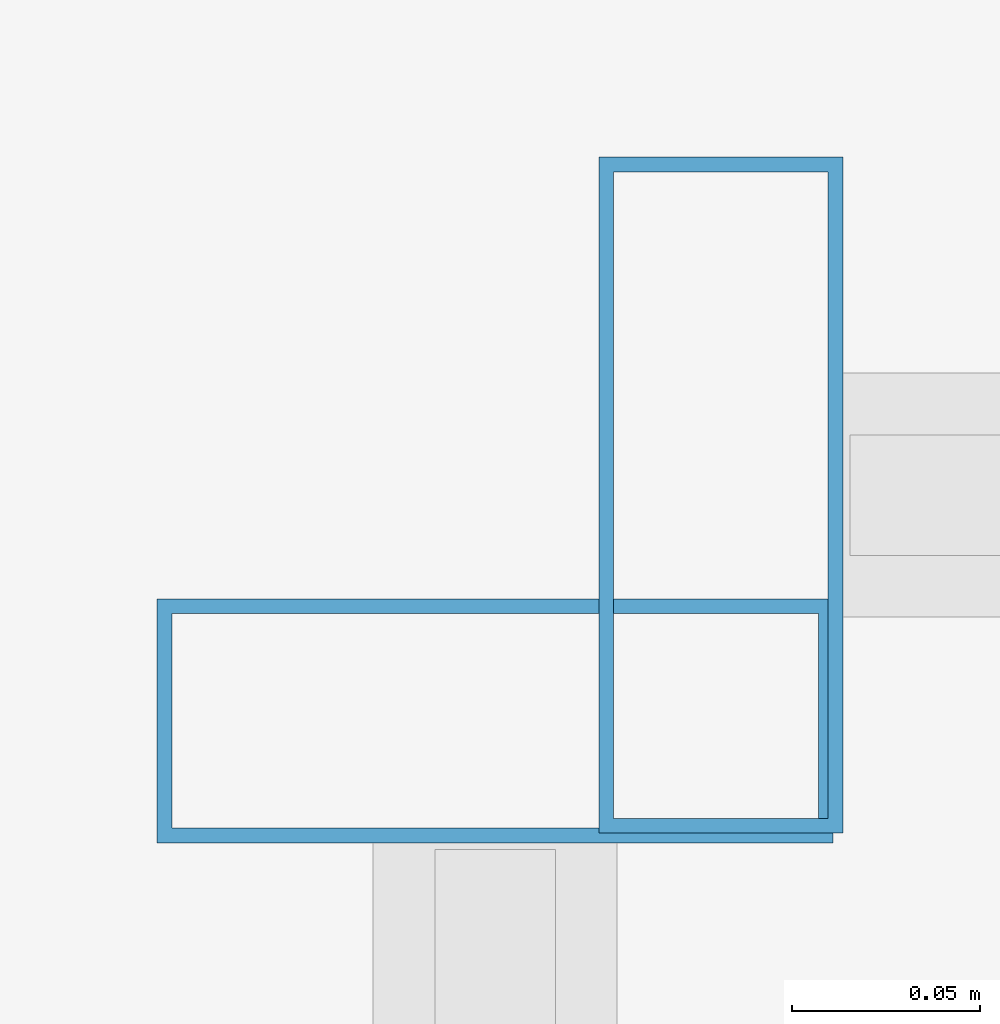
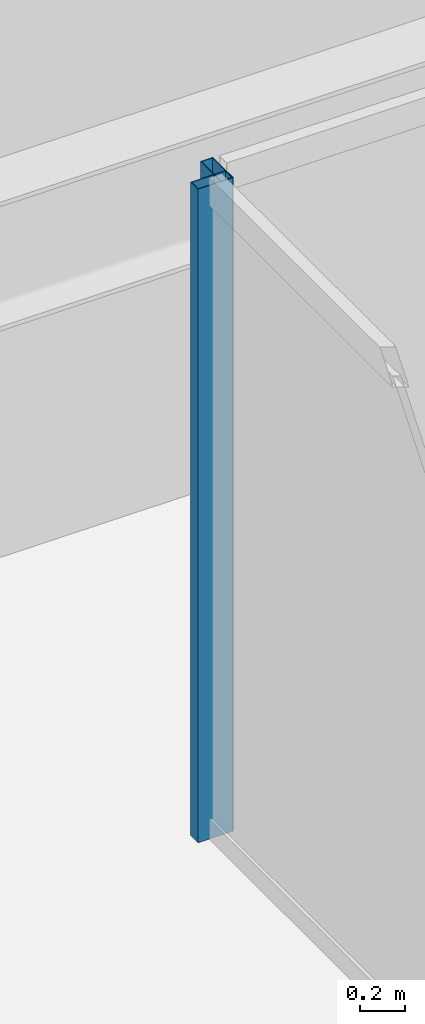
# One storey, part 13 of 36: 2 members, 2 elements without a shape of their own.
"""IFC4 building model written with IfcOpenShell, lengths in metres."""

from ifc_helpers import new_model, si_unit, direction, frame, origin, origin_2d, place, context, subcontext, project, spatial, hollow_rectangle, extrude, material, material_profile, profile_set, type_object, element, aggregate, save


model = new_model("IFC4")

# Units and contexts
model_context = context("Model", 3, precision=1e-05, world=origin(), true_north=direction((0.0, 1.0)))
body_context = subcontext(model_context, "Body", "Model", "MODEL_VIEW")
ifc_project = project(units=[si_unit("LENGTHUNIT", "METRE"), si_unit("AREAUNIT", "SQUARE_METRE"), si_unit("VOLUMEUNIT", "CUBIC_METRE"), si_unit("PLANEANGLEUNIT", "RADIAN"), si_unit("MASSUNIT", "GRAM", prefix="KILO")], contexts=[model_context])

# Site, building, storey
site_placement = place(None, origin())
site = spatial("IfcSite", under=ifc_project, at=site_placement, CompositionType="ELEMENT")
building_placement = place(site_placement, origin())
building = spatial("IfcBuilding", under=site, at=building_placement, Name="Saevonmaru Cultural Tower", CompositionType="ELEMENT")
storey_placement = place(building_placement, frame((0.0, 0.0, 201.800048828125)))
storey = spatial("IfcBuildingStorey", under=building, at=storey_placement, Name="L46", CompositionType="ELEMENT", Elevation=201.800048828125)

# Curtain wall, member
ifc_material = material(Name="Satin Bronze Anodised Aluminium", Category="aluminium")
curtain_wall_type = type_object("IfcCurtainWallType", Name="CW-ATR-GLZ", PredefinedType="NOTDEFINED", material=ifc_material)
curtain_wall_1_placement = place(storey_placement, origin())
curtain_wall_1 = element("IfcCurtainWall", 1, at=curtain_wall_1_placement, inside=storey, type_object=curtain_wall_type, Name="L46 Vertical Atrium Glazed Smoke Screen 3", PredefinedType="NOTDEFINED")
ifc_material_profile = material_profile(ifc_material, hollow_rectangle(XDim=0.06494140625, YDim=0.179931640625, WallThickness=0.00390625, at=origin_2d()), Name="ALU-MULL-180x65x4")
ifc_profile_set = profile_set([ifc_material_profile], Name="Satin Bronze Anodised Aluminium")
member_type = type_object("IfcMemberType", Name="ML-CW-INT-180x65", PredefinedType="MULLION", material=ifc_profile_set)
member_1_placement = place(storey_placement, frame((24.110107421875, 36.7099609375, 0.0), z_axis=(0.0, 0.0, 1.0), x_axis=(-1.0, 0.0, 0.0)))
member_1 = element("IfcMember", 2, at=member_1_placement, type_object=member_type, Name="CW-ATR-L46-3 mullion 2", PredefinedType="MULLION", context=body_context, shape_type="SweptSolid", body=[
    extrude(hollow_rectangle(XDim=0.06494140625, YDim=0.179931640625, WallThickness=0.00390625, at=origin_2d()), origin(), (0.0, 0.0, 1.0), 3.550048828125),
])
aggregate(curtain_wall_1, [member_1])

curtain_wall_2_placement = place(storey_placement, origin())
curtain_wall_2 = element("IfcCurtainWall", 3, at=curtain_wall_2_placement, inside=storey, type_object=curtain_wall_type, Name="L46 Vertical Atrium Glazed Smoke Screen 4", PredefinedType="NOTDEFINED")
member_2_placement = place(storey_placement, frame((24.050048828125, 36.64990234375, 0.0), z_axis=(0.0, 0.0, 1.0), x_axis=(0.0, -1.0, 0.0)))
member_2 = element("IfcMember", 4, at=member_2_placement, type_object=member_type, Name="CW-ATR-L46-4 mullion 1", PredefinedType="MULLION", context=body_context, shape_type="SweptSolid", body=[
    extrude(hollow_rectangle(XDim=0.06494140625, YDim=0.179931640625, WallThickness=0.00390625, at=origin_2d()), origin(), (0.0, 0.0, 1.0), 3.550048828125),
])
aggregate(curtain_wall_2, [member_2])

save(model, "model.ifc")
